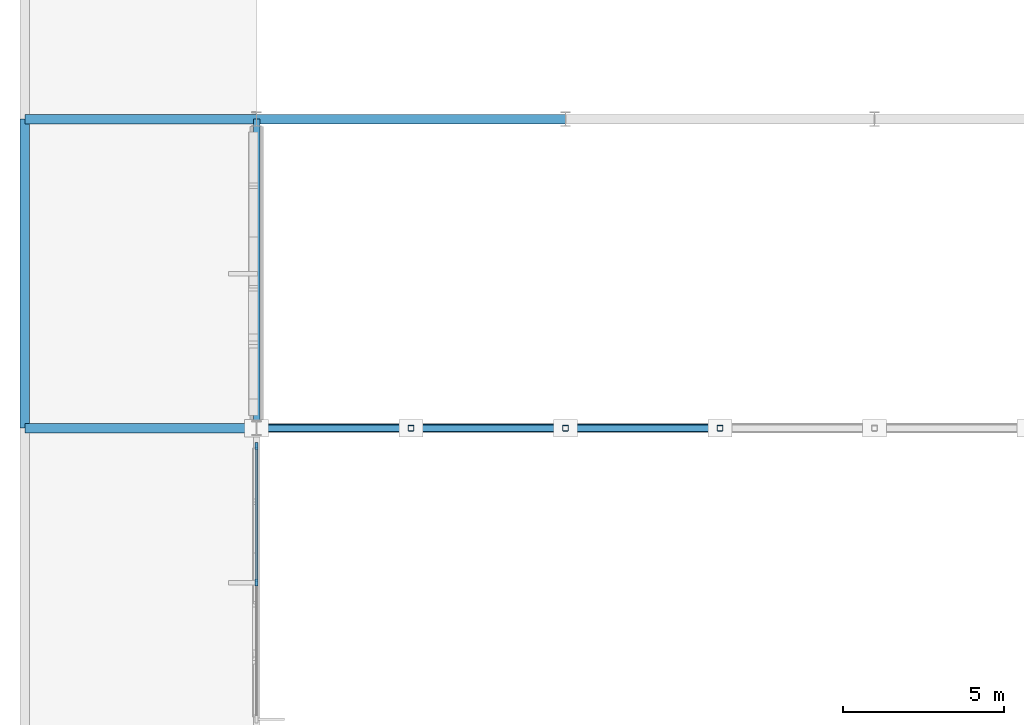
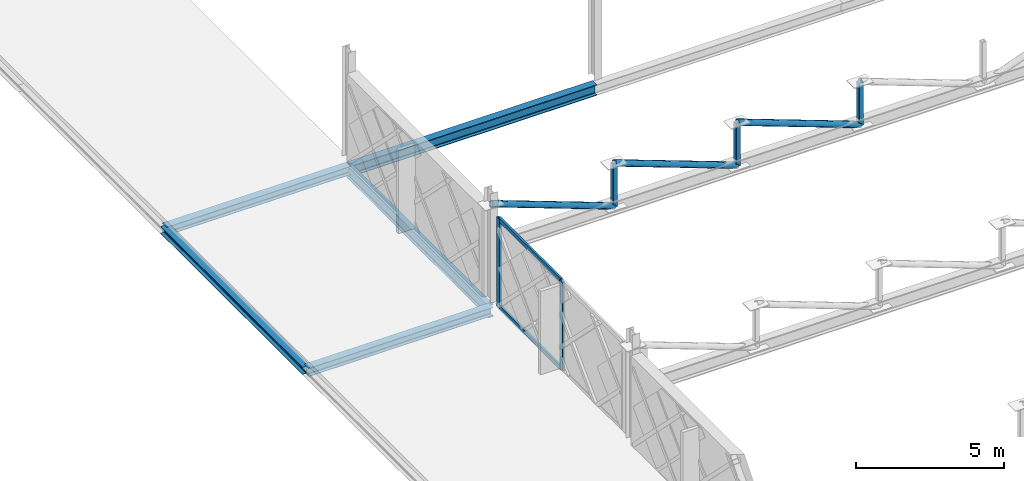
# One storey, part 32 of 101: 10 members, 5 beams, 1 element without a shape of its own.
"""IFC4 building model written with IfcOpenShell, lengths in metres."""

from ifc_helpers import new_model, si_unit, direction, frame, origin, origin_2d, place, context, subcontext, project, spatial, rectangle, hollow_rectangle, hollow_circle, i_section, extrude, material, layer, layer_set, material_profile, profile_set, type_object, element, aggregate, save


model = new_model("IFC4")

# Units and contexts
model_context = context("Model", 3, precision=1e-05, world=origin(), true_north=direction((0.0, 1.0)))
body_context = subcontext(model_context, "Body", "Model", "MODEL_VIEW")
ifc_project = project(units=[si_unit("LENGTHUNIT", "METRE"), si_unit("AREAUNIT", "SQUARE_METRE"), si_unit("VOLUMEUNIT", "CUBIC_METRE"), si_unit("PLANEANGLEUNIT", "RADIAN"), si_unit("MASSUNIT", "GRAM", prefix="KILO")], contexts=[model_context])

# Site, building, storey
site_placement = place(None, origin())
site = spatial("IfcSite", under=ifc_project, at=site_placement, CompositionType="ELEMENT")
building_placement = place(site_placement, origin())
building = spatial("IfcBuilding", under=site, at=building_placement, Name="Zevrakil Square Congress Hotel", CompositionType="ELEMENT")
storey_placement = place(building_placement, frame((0.0, 0.0, 5.39990234375)))
storey = spatial("IfcBuildingStorey", under=building, at=storey_placement, Name="L02", CompositionType="ELEMENT", Elevation=5.39990234375)

# Beams
ifc_material_1 = material(Name="Steel S355", Category="steel")
ifc_material_profile_1 = material_profile(ifc_material_1, i_section(OverallWidth=0.300048828125, OverallDepth=0.35009765625, WebThickness=0.010009765625, FlangeThickness=0.017578125, FilletRadius=0.027099609375, at=origin_2d()), Name="HEA 360")
ifc_profile_set_1 = profile_set([ifc_material_profile_1], Name="Steel S355")
beam_type_1 = type_object("IfcBeamType", Name="BM-HEA360", PredefinedType="BEAM", material=ifc_profile_set_1)
for number, where, z_axis, x_axis, name in (
    (1, (0.0, 36.0, -0.434814453125), (1.0, 0.0, 0.0), (0.0, 1.0, 0.0), "L02 primary girder BX-0718"),
    (2, (0.0, 45.60009765625, -0.434814453125), (1.0, 0.0, 0.0), (0.0, 1.0, 0.0), "L02 primary girder BX-0731"),
):
    element("IfcBeam", number, at=place(storey_placement, frame(where, z_axis=z_axis, x_axis=x_axis)), inside=storey, type_object=beam_type_1, Name=name, PredefinedType="BEAM", context=body_context, shape_type="SweptSolid", body=[
        extrude(i_section(OverallWidth=0.300048828125, OverallDepth=0.35009765625, WebThickness=0.010009765625, FlangeThickness=0.017578125, FilletRadius=0.027099609375, at=origin_2d()), origin(), (0.0, 0.0, 1.0), 7.199951171875),
    ])
ifc_material_2 = material(Name="Steel S355", Category="steel")
ifc_material_profile_2 = material_profile(ifc_material_2, i_section(OverallWidth=0.300048828125, OverallDepth=0.43994140625, WebThickness=0.011474609375, FlangeThickness=0.02099609375, FilletRadius=0.027099609375, at=origin_2d()), Name="HEA 450")
ifc_profile_set_2 = profile_set([ifc_material_profile_2], Name="Steel S355")
beam_type_2 = type_object("IfcBeamType", Name="BM-HEA450", PredefinedType="BEAM", material=ifc_profile_set_2)
beam_1_placement = place(storey_placement, frame((7.199951171875, 45.60009765625, -0.47998046875), z_axis=(1.0, 0.0, 0.0), x_axis=(0.0, 1.0, 0.0)))
element("IfcBeam", 3, at=beam_1_placement, inside=storey, type_object=beam_type_2, Name="L02 primary girder BX-0732", PredefinedType="BEAM", context=body_context, shape_type="SweptSolid", body=[
    extrude(i_section(OverallWidth=0.300048828125, OverallDepth=0.43994140625, WebThickness=0.011474609375, FlangeThickness=0.02099609375, FilletRadius=0.027099609375, at=origin_2d()), origin(), (0.0, 0.0, 1.0), 9.60009765625),
])
ifc_material_3 = material(Name="Steel S355", Category="steel")
ifc_material_profile_3 = material_profile(ifc_material_3, i_section(OverallWidth=0.199951171875, OverallDepth=0.5, WebThickness=0.01025390625, FlangeThickness=0.01611328125, FilletRadius=0.02099609375, at=origin_2d()), Name="IPE 500")
ifc_profile_set_3 = profile_set([ifc_material_profile_3], Name="Steel S355")
beam_type_3 = type_object("IfcBeamType", Name="BM-IPE500", PredefinedType="BEAM", material=ifc_profile_set_3)
beam_2_placement = place(storey_placement, frame((7.199951171875, 36.0, -0.510009765625), z_axis=(0.0, 1.0, 0.0), x_axis=(-1.0, 0.0, 0.0)))
element("IfcBeam", 4, at=beam_2_placement, inside=storey, type_object=beam_type_3, Name="L02 primary girder BY-0834", PredefinedType="BEAM", context=body_context, shape_type="SweptSolid", body=[
    extrude(i_section(OverallWidth=0.199951171875, OverallDepth=0.5, WebThickness=0.01025390625, FlangeThickness=0.01611328125, FilletRadius=0.02099609375, at=origin_2d()), origin(), (0.0, 0.0, 1.0), 9.60009765625),
])

# Curtain wall, members
ifc_material_4 = material(Name="Aluminium Anodised Bronze", Category="aluminium")
ifc_layer = layer(ifc_material_4, 0.179931640625)
ifc_layer_set = layer_set([ifc_layer], Name="Aluminium Anodised Bronze")
curtain_wall_type = type_object("IfcCurtainWallType", Name="CW-L02-840", PredefinedType="USERDEFINED", material=ifc_layer_set)
curtain_wall_placement = place(storey_placement, origin())
curtain_wall = element("IfcCurtainWall", 5, at=curtain_wall_placement, inside=storey, type_object=curtain_wall_type, Name="L02 diamond curtain wall CW-L02-0019", ObjectType="GLAZED CURTAIN WALL", PredefinedType="USERDEFINED")
ifc_material_5 = material(Name="Aluminium Anodised Bronze", Category="aluminium")
ifc_material_profile_4 = material_profile(ifc_material_5, rectangle(XDim=0.0849609375, YDim=0.179931640625, at=origin_2d()), Name="ALU 85x180")
ifc_profile_set_4 = profile_set([ifc_material_profile_4], Name="Aluminium Anodised Bronze")
member_type_1 = type_object("IfcMemberType", Name="CWM-ALU85x180", PredefinedType="USERDEFINED", material=ifc_profile_set_4)
member_1_placement = place(storey_placement, frame((7.199951171875, 31.22998046875, 0.030029296875), z_axis=(0.0, 1.0, 0.0), x_axis=(-1.0, 0.0, 0.0)))
member_1 = element("IfcMember", 6, at=member_1_placement, type_object=member_type_1, Name="CW-23 transom 2.1", ObjectType="TRANSOM", PredefinedType="USERDEFINED", context=body_context, shape_type="SweptSolid", body=[
    extrude(rectangle(XDim=0.0849609375, YDim=0.179931640625, at=origin_2d()), origin(), (0.0, 0.0, 1.0), 4.18994140625),
])
member_2_placement = place(storey_placement, frame((7.199951171875, 31.22998046875, 3.64501953125), z_axis=(0.0, 1.0, 0.0), x_axis=(-1.0, 0.0, 0.0)))
member_2 = element("IfcMember", 7, at=member_2_placement, type_object=member_type_1, Name="CW-23 transom 2.2", ObjectType="TRANSOM", PredefinedType="USERDEFINED", context=body_context, shape_type="SweptSolid", body=[
    extrude(rectangle(XDim=0.0849609375, YDim=0.179931640625, at=origin_2d()), origin(), (0.0, 0.0, 1.0), 4.18994140625),
])
ifc_material_6 = material(Name="Aluminium Anodised Bronze", Category="aluminium")
ifc_material_profile_5 = material_profile(ifc_material_6, rectangle(XDim=0.0849609375, YDim=0.219970703125, at=origin_2d()), Name="ALU 85x220")
ifc_profile_set_5 = profile_set([ifc_material_profile_5], Name="Aluminium Anodised Bronze")
member_type_2 = type_object("IfcMemberType", Name="CWM-ALU85x220", PredefinedType="MULLION", material=ifc_profile_set_5)
member_3_placement = place(storey_placement, frame((7.199951171875, 31.199951171875, 0.0), z_axis=(0.0, 0.0, 1.0), x_axis=(-1.0, 0.0, 0.0)))
member_3 = element("IfcMember", 8, at=member_3_placement, type_object=member_type_2, Name="CW-23 mullion 2", PredefinedType="MULLION", context=body_context, shape_type="SweptSolid", body=[
    extrude(rectangle(XDim=0.0849609375, YDim=0.219970703125, at=origin_2d()), origin(), (0.0, 0.0, 1.0), 3.675048828125),
])
member_4_placement = place(storey_placement, frame((7.199951171875, 35.449951171875, 0.0), z_axis=(0.0, 0.0, 1.0), x_axis=(-1.0, 0.0, 0.0)))
member_4 = element("IfcMember", 9, at=member_4_placement, type_object=member_type_2, Name="CW-23 mullion 3", PredefinedType="MULLION", context=body_context, shape_type="SweptSolid", body=[
    extrude(rectangle(XDim=0.0849609375, YDim=0.219970703125, at=origin_2d()), origin(), (0.0, 0.0, 1.0), 3.675048828125),
])
aggregate(curtain_wall, [member_3, member_4, member_1, member_2])

# Members
ifc_material_7 = material(Name="Steel S355", Category="steel")
ifc_material_profile_6 = material_profile(ifc_material_7, hollow_circle(Radius=0.122314453125, WallThickness=0.012451171875, at=origin_2d()), Name="CHS 244.5x12.5")
ifc_profile_set_6 = profile_set([ifc_material_profile_6], Name="Steel S355")
member_type_3 = type_object("IfcMemberType", Name="MEM-BRACE-CHS244", PredefinedType="BRACE", material=ifc_profile_set_6)
for number, where, z_axis, x_axis, name in (
    (10, (7.199951171875, 36.0, 3.925048828125), (0.937932774607, 0.0, -0.346817113646), (0.0, 1.0, 0.0), "Ballroom Pratt truss diagonal BTD-30"),
    (11, (12.0, 36.0, 3.925048828125), (0.937932774607, 0.0, -0.346817113646), (0.0, 1.0, 0.0), "Ballroom Pratt truss diagonal BTD-31"),
    (12, (16.800048828125, 36.0, 3.925048828125), (0.937932774607, 0.0, -0.346817113646), (0.0, 1.0, 0.0), "Ballroom Pratt truss diagonal BTD-32"),
):
    element("IfcMember", number, at=place(storey_placement, frame(where, z_axis=z_axis, x_axis=x_axis)), inside=storey, type_object=member_type_3, Name=name, PredefinedType="BRACE", context=body_context, shape_type="SweptSolid", body=[
        extrude(hollow_circle(Radius=0.122314453125, WallThickness=0.012451171875, at=origin_2d()), origin(), (0.0, 0.0, 1.0), 5.11767578125),
    ])
ifc_material_8 = material(Name="Steel S355", Category="steel")
ifc_material_profile_7 = material_profile(ifc_material_8, hollow_rectangle(XDim=0.179931640625, YDim=0.179931640625, WallThickness=0.010009765625, InnerFilletRadius=0.010009765625, OuterFilletRadius=0.02001953125, at=origin_2d()), Name="SHS 180x180x10")
ifc_profile_set_7 = profile_set([ifc_material_profile_7], Name="Steel S355")
member_type_4 = type_object("IfcMemberType", Name="MEM-BRACE-SHS180", PredefinedType="BRACE", material=ifc_profile_set_7)
for number, where, z_axis, x_axis, name in (
    (13, (12.0, 36.0, 2.150146484375), (0.0, 0.0, 1.0), (1.0, 0.0, 0.0), "Ballroom Pratt truss vertical BTV-31"),
    (14, (16.800048828125, 36.0, 2.150146484375), (0.0, 0.0, 1.0), (1.0, 0.0, 0.0), "Ballroom Pratt truss vertical BTV-32"),
    (15, (21.60009765625, 36.0, 2.150146484375), (0.0, 0.0, 1.0), (1.0, 0.0, 0.0), "Ballroom Pratt truss vertical BTV-33"),
):
    element("IfcMember", number, at=place(storey_placement, frame(where, z_axis=z_axis, x_axis=x_axis)), inside=storey, type_object=member_type_4, Name=name, PredefinedType="BRACE", context=body_context, shape_type="SweptSolid", body=[
        extrude(hollow_rectangle(XDim=0.179931640625, YDim=0.179931640625, WallThickness=0.010009765625, InnerFilletRadius=0.010009765625, OuterFilletRadius=0.02001953125, at=origin_2d()), origin(), (0.0, 0.0, 1.0), 1.77490234375),
    ])

# Beam
ifc_material_9 = material(Name="Steel S355", Category="steel")
ifc_material_profile_8 = material_profile(ifc_material_9, i_section(OverallWidth=0.300048828125, OverallDepth=0.300048828125, WebThickness=0.010986328125, FlangeThickness=0.01904296875, FilletRadius=0.027099609375, at=origin_2d()), Name="HEB 300")
ifc_profile_set_8 = profile_set([ifc_material_profile_8], Name="Steel S355")
beam_type_4 = type_object("IfcBeamType", Name="SPD-RHS250", PredefinedType="SPANDREL", material=ifc_profile_set_8)
beam_3_placement = place(storey_placement, frame((0.0, 36.0, -0.409912109375), z_axis=(0.0, 1.0, 0.0), x_axis=(-1.0, 0.0, 0.0)))
element("IfcBeam", 16, at=beam_3_placement, inside=storey, type_object=beam_type_4, Name="L02 primary girder BY-0822", PredefinedType="SPANDREL", context=body_context, shape_type="SweptSolid", body=[
    extrude(i_section(OverallWidth=0.300048828125, OverallDepth=0.300048828125, WebThickness=0.010986328125, FlangeThickness=0.01904296875, FilletRadius=0.027099609375, at=origin_2d()), origin(), (0.0, 0.0, 1.0), 9.60009765625),
])

save(model, "model.ifc")
